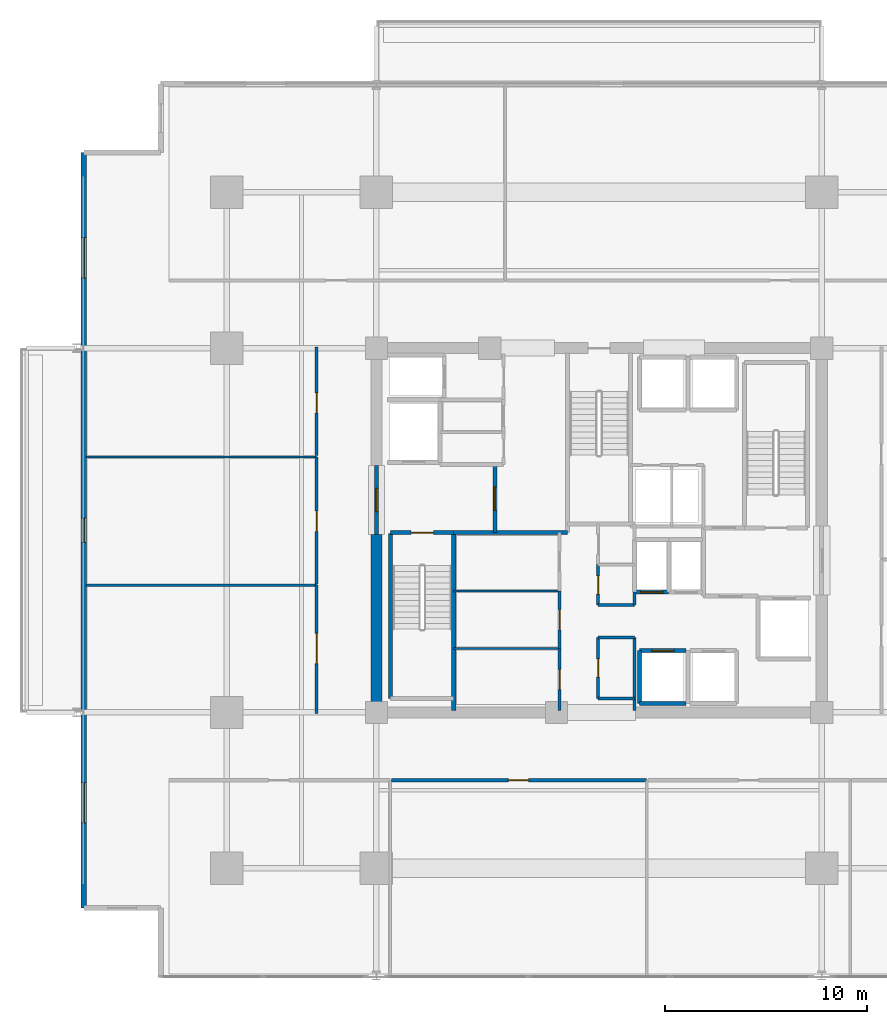
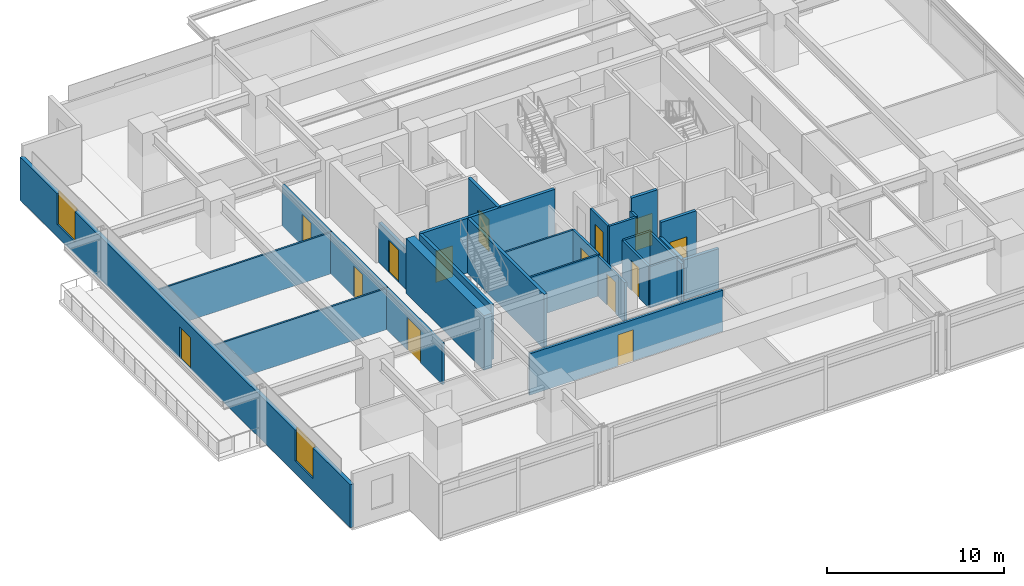
# One storey, part 13 of 20: 29 walls, 14 doors, 2 windows, 16 openings.
"""IFC4 building model written with IfcOpenShell, lengths in metres."""

import ifcopenshell
import ifcopenshell.guid

model = None  # the IFC model being written
_history = None  # IfcOwnerHistory: only IFC2X3 demands one
_inside = {}  # id of a spatial element -> (the spatial element, [elements in it])
_under = {}  # id of a project, library or spatial element -> (it, [spatial elements below it])
_declared = {}  # id of a project -> (the project, [libraries it declares])
_typed = {}  # id of a type object -> (the type object, [elements of that type])
_made_of = {}  # id of a material, layer set ... -> (it, [elements and type objects made of it])


def new_model(schema):
    """Start an empty IFC model of exactly this schema.

    Asked for "IFC4X3", IfcOpenShell would pick the latest addendum, in which some entities
    have other attributes; the version numbers below select the first issue.
    IFC2X3 requires an IfcOwnerHistory on every rooted entity: one is made here for all.
    """
    global model, _history
    if schema == "IFC4X3":
        model = ifcopenshell.file(schema_version=(4, 3, 0, 0))
    else:
        model = ifcopenshell.file(schema=schema)
    _inside.clear()
    _under.clear()
    _declared.clear()
    _typed.clear()
    _made_of.clear()
    _history = None
    if model.schema == "IFC2X3":
        org = make("IfcOrganization", Name="unknown")
        user = make(
            "IfcPersonAndOrganization",
            ThePerson=make("IfcPerson", FamilyName="unknown"),
            TheOrganization=org,
        )
        app = make(
            "IfcApplication",
            ApplicationDeveloper=org,
            Version="unknown",
            ApplicationFullName="unknown",
            ApplicationIdentifier="unknown",
        )
        _history = make(
            "IfcOwnerHistory",
            OwningUser=user,
            OwningApplication=app,
            ChangeAction="ADDED",
            CreationDate=0,
        )
    return model


def make(cls, **values):
    """One entity of the class cls with the attributes given. An attribute that is None is left unset."""
    return model.create_entity(
        cls, **{name: value for name, value in values.items() if value is not None}
    )


def rooted(cls, **values):
    """An entity with a GlobalId (a new one), such as an element, a storey or a relation."""
    return make(cls, GlobalId=ifcopenshell.guid.new(), OwnerHistory=_history, **values)


def si_unit(unit_type, name, prefix=None):
    """IfcSIUnit, for example si_unit("LENGTHUNIT", "METRE", prefix="MILLI")."""
    return make("IfcSIUnit", UnitType=unit_type, Prefix=prefix, Name=name)


def assignment(units):
    """IfcUnitAssignment: the units of a project."""
    return None if units is None else make("IfcUnitAssignment", Units=units)


def point(xyz):
    """IfcCartesianPoint."""
    return None if xyz is None else make("IfcCartesianPoint", Coordinates=xyz)


def direction(xyz):
    """IfcDirection."""
    return None if xyz is None else make("IfcDirection", DirectionRatios=xyz)


def frame(location, z_axis=None, x_axis=None):
    """IfcAxis2Placement3D, a coordinate frame: its origin and axes. An axis left out is left unset."""
    return make(
        "IfcAxis2Placement3D",
        Location=point(location),
        Axis=direction(z_axis),
        RefDirection=direction(x_axis),
    )


def frame_2d(location, x_axis=None):
    """IfcAxis2Placement2D, a coordinate frame in the plane: its origin and x axis."""
    return make(
        "IfcAxis2Placement2D", Location=point(location), RefDirection=direction(x_axis)
    )


def origin():
    """The frame at (0, 0, 0) with its axes left unset."""
    return frame((0.0, 0.0, 0.0))


def place(relative_to, where):
    """IfcLocalPlacement: puts the frame where relative to a parent placement (None: the world)."""
    return make(
        "IfcLocalPlacement", PlacementRelTo=relative_to, RelativePlacement=where
    )


def context(
    kind, dimensions, precision=None, world=None, true_north=None, identifier=None
):
    """IfcGeometricRepresentationContext, for example the 3D "Model" context."""
    return make(
        "IfcGeometricRepresentationContext",
        ContextIdentifier=identifier,
        ContextType=kind,
        CoordinateSpaceDimension=dimensions,
        Precision=precision,
        WorldCoordinateSystem=world,
        TrueNorth=true_north,
    )


def subcontext(parent, identifier, kind, view, scale=None):
    """IfcGeometricRepresentationSubContext, for example "Body" below "Model"."""
    return make(
        "IfcGeometricRepresentationSubContext",
        ContextIdentifier=identifier,
        ContextType=kind,
        ParentContext=parent,
        TargetScale=scale,
        TargetView=view,
    )


def project(units=None, contexts=None):
    """IfcProject with its units and contexts."""
    return rooted(
        "IfcProject",
        Name="project",
        RepresentationContexts=contexts,
        UnitsInContext=assignment(units),
    )


def spatial(cls, under=None, at=None, **own):
    """A site, building, storey or space (cls), placed at a placement, below another one or the project."""
    s = rooted(cls, ObjectPlacement=at, **own)
    if under is not None:
        _under.setdefault(under.id(), (under, []))[1].append(s)
    return s


def profile(cls, at=None, kind="AREA", **sizes):
    """A parametric profile (cls). Its sizes go by their IFC names, for example OverallWidth=200.0."""
    return make(cls, ProfileType=kind, Position=at, **sizes)


def rectangle(**sizes):
    """IfcRectangleProfileDef."""
    return profile("IfcRectangleProfileDef", **sizes)


def extrude(swept, where, along, depth):
    """IfcExtrudedAreaSolid: the profile swept, set in the frame where, extruded along a direction by depth."""
    return make(
        "IfcExtrudedAreaSolid",
        SweptArea=swept,
        Position=where,
        ExtrudedDirection=direction(along),
        Depth=depth,
    )


def shape(context_of_items, identifier, shape_type, items):
    """IfcShapeRepresentation: the items that make up one representation, for example the "Body"."""
    return make(
        "IfcShapeRepresentation",
        ContextOfItems=context_of_items,
        RepresentationIdentifier=identifier,
        RepresentationType=shape_type,
        Items=items,
    )


def material(Name=None, Category=None):
    """IfcMaterial."""
    return make("IfcMaterial", Name=Name, Category=Category)


def layer(
    of_material, thickness, ventilated=None, Name=None, Category=None, Priority=None
):
    """IfcMaterialLayer: one layer of a wall or slab, of a material (None: an air gap)."""
    return make(
        "IfcMaterialLayer",
        Material=of_material,
        LayerThickness=thickness,
        IsVentilated=ventilated,
        Name=Name,
        Category=Category,
        Priority=Priority,
    )


def layer_set(layers, Name=None):
    """IfcMaterialLayerSet."""
    return make("IfcMaterialLayerSet", MaterialLayers=layers, LayerSetName=Name)


def made_of(thing, what):
    """Note that an element or type object is made of a material, layer set ...; save() writes the relation."""
    if what is not None:
        _made_of.setdefault(what.id(), (what, []))[1].append(thing)
    return thing


def type_object(cls, material=None, **own):
    """A type object (cls), such as IfcWallType, which elements share."""
    return made_of(rooted(cls, **own), material)


def element(
    cls,
    number,
    at=None,
    inside=None,
    cuts=None,
    type_object=None,
    material=None,
    context=None,
    identifier="Body",
    shape_type=None,
    held_by="IfcProductDefinitionShape",
    body=None,
    shapes=None,
    **own,
):
    """One element of the class cls, such as IfcWall. Its Tag is "e" and its number.

    at: its placement. inside: the storey or other place that contains it. cuts: it is an
    opening in that element (IfcRelVoidsElement). A single representation is given by context,
    identifier, shape_type and body (its items); several are given by shapes. held_by: the class
    of the entity that holds the representations. save() writes the other relations.
    """
    e = rooted(cls, Tag="e%d" % number, ObjectPlacement=at, **own)
    if body is not None:
        shapes = [shape(context, identifier, shape_type, body)]
    if shapes is not None:
        e.Representation = make(held_by, Representations=shapes)
    if inside is not None:
        _inside.setdefault(inside.id(), (inside, []))[1].append(e)
    if cuts is not None:
        rooted(
            "IfcRelVoidsElement", RelatingBuildingElement=cuts, RelatedOpeningElement=e
        )
    if type_object is not None:
        _typed.setdefault(type_object.id(), (type_object, []))[1].append(e)
    return made_of(e, material)


def fill(opening, filler):
    """IfcRelFillsElement: the door or window that sits in an opening."""
    return rooted(
        "IfcRelFillsElement",
        RelatingOpeningElement=opening,
        RelatedBuildingElement=filler,
    )


def aggregate(whole, parts):
    """IfcRelAggregates: a whole, such as a stair, and the parts it consists of."""
    return rooted("IfcRelAggregates", RelatingObject=whole, RelatedObjects=parts)


def save(model, path):
    """Write the relations noted so far, then the file.

    IfcRelAggregates (storeys below a building ...), IfcRelContainedInSpatialStructure (elements
    in a storey), IfcRelDefinesByType, IfcRelAssociatesMaterial and IfcRelDeclares: one each for
    every whole, place, type object, material and project.
    """
    for whole, parts in _under.values():
        aggregate(whole, parts)
    for where, things in _inside.values():
        rooted(
            "IfcRelContainedInSpatialStructure",
            RelatedElements=things,
            RelatingStructure=where,
        )
    for kind, things in _typed.values():
        rooted("IfcRelDefinesByType", RelatedObjects=things, RelatingType=kind)
    for what, things in _made_of.values():
        rooted("IfcRelAssociatesMaterial", RelatedObjects=things, RelatingMaterial=what)
    for by, libraries in _declared.values():
        rooted("IfcRelDeclares", RelatingContext=by, RelatedDefinitions=libraries)
    model.write(path)


model = new_model("IFC4")

# Units and contexts
model_context = context("Model", 3, precision=1e-05, world=origin(), true_north=direction((0.0, 1.0)))
body_context = subcontext(model_context, "Body", "Model", "MODEL_VIEW")
ifc_project = project(units=[si_unit("LENGTHUNIT", "METRE"), si_unit("AREAUNIT", "SQUARE_METRE"), si_unit("VOLUMEUNIT", "CUBIC_METRE"), si_unit("PLANEANGLEUNIT", "RADIAN"), si_unit("MASSUNIT", "GRAM", prefix="KILO")], contexts=[model_context])

# Site, building, storey
site_placement = place(None, origin())
site = spatial("IfcSite", under=ifc_project, at=site_placement, CompositionType="ELEMENT")
building_placement = place(site_placement, origin())
building = spatial("IfcBuilding", under=site, at=building_placement, Name="Kovane Verandah Tower", CompositionType="ELEMENT")
storey_placement = place(building_placement, frame((0.0, 0.0, 160.39990234375)))
storey = spatial("IfcBuildingStorey", under=building, at=storey_placement, Name="L37", CompositionType="ELEMENT", Elevation=160.39990234375)

# Walls
ifc_material_1 = material(Name="Fire-Rated Gypsum Stud Partition", Category="gypsum")
ifc_layer_1 = layer(ifc_material_1, 0.14990234375)
ifc_layer_set_1 = layer_set([ifc_layer_1], Name="Fire-Rated Gypsum Stud Partition")
wall_type_1 = type_object("IfcWallType", Name="WL-COR-150", PredefinedType="PARTITIONING", material=ifc_layer_set_1)
for number, where, z_axis, x_axis, name in (
    (1, (39.949951171875, 19.199951171875, 0.0), (0.0, 0.0, 1.0), (1.0, 0.0, 0.0), "L37 Central Core Strip South Wall"),
    (2, (39.949951171875, 22.199951171875, 0.0), (0.0, 0.0, 1.0), (1.0, 0.0, 0.0), "L37 Core Cross-Passage South Wall"),
    (3, (39.949951171875, 23.800048828125, 0.0), (0.0, 0.0, 1.0), (1.0, 0.0, 0.0), "L37 Core Cross-Passage North Wall"),
):
    element("IfcWall", number, at=place(storey_placement, frame(where, z_axis=z_axis, x_axis=x_axis)), inside=storey, type_object=wall_type_1, Name=name, PredefinedType="PARTITIONING", context=body_context, shape_type="SweptSolid", body=[
        extrude(rectangle(XDim=1.81005859375, YDim=0.14990234375, at=frame_2d((0.905029296875, 0.0))), origin(), (0.0, 0.0, 1.0), 2.85009765625),
    ])
wall_1_placement = place(storey_placement, frame((41.760009765625, 18.60009765625, 0.0), z_axis=(0.0, 0.0, 1.0), x_axis=(0.0, 1.0, 0.0)))
element("IfcWall", 4, at=wall_1_placement, inside=storey, type_object=wall_type_1, Name="L37 Central Core Strip Lower East Wall", PredefinedType="PARTITIONING", context=body_context, shape_type="SweptSolid", body=[
    extrude(rectangle(XDim=3.599853515625, YDim=0.14990234375, at=frame_2d((1.7998046875, 0.0))), origin(), (0.0, 0.0, 1.0), 2.755126953125),
])
wall_2_placement = place(storey_placement, frame((41.760009765625, 23.800048828125, 0.0), z_axis=(0.0, 0.0, 1.0), x_axis=(0.0, 1.0, 0.0)))
element("IfcWall", 5, at=wall_2_placement, inside=storey, type_object=wall_type_1, Name="L37 Central Core Strip Middle East Wall", PredefinedType="PARTITIONING", context=body_context, shape_type="SweptSolid", body=[
    extrude(rectangle(XDim=0.64990234375, YDim=0.14990234375, at=frame_2d((0.324951171875, 0.0))), origin(), (0.0, 0.0, 1.0), 2.85009765625),
])

# Wall, opening, door
wall_3_placement = place(storey_placement, frame((39.949951171875, 19.199951171875, 0.0), z_axis=(0.0, 0.0, 1.0), x_axis=(0.0, 1.0, 0.0)))
wall_3 = element("IfcWall", 6, at=wall_3_placement, inside=storey, type_object=wall_type_1, Name="L37 Male Toilet Partition", PredefinedType="PARTITIONING", context=body_context, shape_type="SweptSolid", body=[
    extrude(rectangle(XDim=3.0, YDim=0.14990234375, at=frame_2d((1.5, 0.0))), origin(), (0.0, 0.0, 1.0), 2.85009765625),
])
opening_1_placement = place(wall_3_placement, frame((1.050048828125, 0.0, 0.0)))
opening_1 = element("IfcOpeningElement", 7, at=opening_1_placement, cuts=wall_3, Name="Opening DR-L37-029", PredefinedType="OPENING", context=body_context, shape_type="SweptSolid", body=[
    extrude(rectangle(XDim=0.89990234375, YDim=2.10009765625, at=frame_2d((0.449951171875, 1.050048828125))), frame((0.0, 0.074951171875, 0.0), z_axis=(0.0, -1.0, 0.0), x_axis=(1.0, 0.0, 0.0)), (0.0, 0.0, 1.0), 0.14990234375),
])
ifc_material_2 = material(Name="Moisture-Resistant Laminate Washroom Door", Category="wood")
door_type_1 = type_object("IfcDoorType", Name="DR-WC-900", OperationType="SINGLE_SWING_LEFT", PredefinedType="DOOR", material=ifc_material_2)
door_1_placement = place(opening_1_placement, origin())
door_1 = element("IfcDoor", 8, at=door_1_placement, inside=storey, type_object=door_type_1, Name="L37 Male Toilet Door", OperationType="SINGLE_SWING_LEFT", OverallHeight=2.10009765625, OverallWidth=0.89990234375, PredefinedType="DOOR", context=body_context, shape_type="SweptSolid", body=[
    extrude(rectangle(XDim=0.89990234375, YDim=2.10009765625, at=frame_2d((0.449951171875, 1.050048828125))), frame((0.0, 0.02490234375, 0.0), z_axis=(0.0, -1.0, 0.0), x_axis=(1.0, 0.0, 0.0)), (0.0, 0.0, 1.0), 0.050048828125),
])
fill(opening_1, door_1)

wall_4_placement = place(storey_placement, frame((39.949951171875, 23.800048828125, 0.0), z_axis=(0.0, 0.0, 1.0), x_axis=(0.0, 1.0, 0.0)))
wall_4 = element("IfcWall", 9, at=wall_4_placement, inside=storey, type_object=wall_type_1, Name="L37 Female Toilet Partition", PredefinedType="PARTITIONING", context=body_context, shape_type="SweptSolid", body=[
    extrude(rectangle(XDim=2.0, YDim=0.14990234375, at=frame_2d((1.0, 0.0))), origin(), (0.0, 0.0, 1.0), 2.85009765625),
])
opening_2_placement = place(wall_4_placement, frame((0.550048828125, 0.0, 0.0)))
opening_2 = element("IfcOpeningElement", 10, at=opening_2_placement, cuts=wall_4, Name="Opening DR-L37-028", PredefinedType="OPENING", context=body_context, shape_type="SweptSolid", body=[
    extrude(rectangle(XDim=0.89990234375, YDim=2.10009765625, at=frame_2d((0.449951171875, 1.050048828125))), frame((0.0, 0.074951171875, 0.0), z_axis=(0.0, -1.0, 0.0), x_axis=(1.0, 0.0, 0.0)), (0.0, 0.0, 1.0), 0.14990234375),
])
door_2_placement = place(opening_2_placement, origin())
door_2 = element("IfcDoor", 11, at=door_2_placement, inside=storey, type_object=door_type_1, Name="L37 Female Toilet Door", OperationType="SINGLE_SWING_RIGHT", OverallHeight=2.10009765625, OverallWidth=0.89990234375, PredefinedType="DOOR", context=body_context, shape_type="SweptSolid", body=[
    extrude(rectangle(XDim=0.89990234375, YDim=2.10009765625, at=frame_2d((0.449951171875, 1.050048828125))), frame((0.0, 0.02490234375, 0.0), z_axis=(0.0, -1.0, 0.0), x_axis=(1.0, 0.0, 0.0)), (0.0, 0.0, 1.0), 0.050048828125),
])
fill(opening_2, door_2)

wall_5_placement = place(storey_placement, frame((38.050048828125, 18.60009765625, 0.0), z_axis=(0.0, 0.0, 1.0), x_axis=(0.0, 1.0, 0.0)))
wall_5 = element("IfcWall", 12, at=wall_5_placement, inside=storey, type_object=wall_type_1, Name="L37 Project Archive Room Partition", PredefinedType="PARTITIONING", context=body_context, shape_type="SweptSolid", body=[
    extrude(rectangle(XDim=3.059814453125, YDim=0.14990234375, at=frame_2d((1.52978515625, 0.0))), origin(), (0.0, 0.0, 1.0), 2.755126953125),
])
opening_3_placement = place(wall_5_placement, frame((1.030029296875, 0.0, 0.0)))
opening_3 = element("IfcOpeningElement", 13, at=opening_3_placement, cuts=wall_5, Name="Opening DR-L37-015", PredefinedType="OPENING", context=body_context, shape_type="SweptSolid", body=[
    extrude(rectangle(XDim=1.0, YDim=2.14990234375, at=frame_2d((0.5, 1.074951171875))), frame((0.0, 0.074951171875, 0.0), z_axis=(0.0, -1.0, 0.0), x_axis=(1.0, 0.0, 0.0)), (0.0, 0.0, 1.0), 0.14990234375),
])
ifc_material_3 = material(Name="FSC Spotted-Gum Timber Fire-Rated Office Door", Category="wood")
door_type_2 = type_object("IfcDoorType", Name="DR-OFF-1000", OperationType="SINGLE_SWING_LEFT", PredefinedType="DOOR", material=ifc_material_3)
door_3_placement = place(opening_3_placement, origin())
door_3 = element("IfcDoor", 14, at=door_3_placement, inside=storey, type_object=door_type_2, Name="L37 Project Archive Room Door", OperationType="SINGLE_SWING_LEFT", OverallHeight=2.14990234375, OverallWidth=1.0, PredefinedType="DOOR", context=body_context, shape_type="SweptSolid", body=[
    extrude(rectangle(XDim=1.0, YDim=2.14990234375, at=frame_2d((0.5, 1.074951171875))), frame((0.0, 0.02490234375, 0.0), z_axis=(0.0, -1.0, 0.0), x_axis=(1.0, 0.0, 0.0)), (0.0, 0.0, 1.0), 0.050048828125),
])
fill(opening_3, door_3)

wall_6_placement = place(storey_placement, frame((38.050048828125, 21.659912109375, 0.0), z_axis=(0.0, 0.0, 1.0), x_axis=(0.0, 1.0, 0.0)))
wall_6 = element("IfcWall", 15, at=wall_6_placement, inside=storey, type_object=wall_type_1, Name="L37 First Aid and Wellness Room Partition", PredefinedType="PARTITIONING", context=body_context, shape_type="SweptSolid", body=[
    extrude(rectangle(XDim=2.840087890625, YDim=0.14990234375, at=frame_2d((1.419921875, 0.0))), origin(), (0.0, 0.0, 1.0), 2.85009765625),
])
opening_4_placement = place(wall_6_placement, frame((0.919921875, 0.0, 0.0)))
opening_4 = element("IfcOpeningElement", 16, at=opening_4_placement, cuts=wall_6, Name="Opening DR-L37-016", PredefinedType="OPENING", context=body_context, shape_type="SweptSolid", body=[
    extrude(rectangle(XDim=1.0, YDim=2.14990234375, at=frame_2d((0.5, 1.074951171875))), frame((0.0, 0.074951171875, 0.0), z_axis=(0.0, -1.0, 0.0), x_axis=(1.0, 0.0, 0.0)), (0.0, 0.0, 1.0), 0.14990234375),
])
door_4_placement = place(opening_4_placement, origin())
door_4 = element("IfcDoor", 17, at=door_4_placement, inside=storey, type_object=door_type_2, Name="L37 First Aid and Wellness Room Door", OperationType="SINGLE_SWING_RIGHT", OverallHeight=2.14990234375, OverallWidth=1.0, PredefinedType="DOOR", context=body_context, shape_type="SweptSolid", body=[
    extrude(rectangle(XDim=1.0, YDim=2.14990234375, at=frame_2d((0.5, 1.074951171875))), frame((0.0, 0.02490234375, 0.0), z_axis=(0.0, -1.0, 0.0), x_axis=(1.0, 0.0, 0.0)), (0.0, 0.0, 1.0), 0.050048828125),
])
fill(opening_4, door_4)

wall_7_placement = place(storey_placement, frame((29.743896484375, 15.14990234375, 0.0), z_axis=(0.0, 0.0, 1.0), x_axis=(1.0, 0.0, 0.0)))
wall_7 = element("IfcWall", 18, at=wall_7_placement, inside=storey, type_object=wall_type_1, Name="L37 Document and Print Room S2 Corridor Partition", PredefinedType="PARTITIONING", context=body_context, shape_type="SweptSolid", body=[
    extrude(rectangle(XDim=12.612060546875, YDim=0.14990234375, at=frame_2d((6.30615234375, 0.0))), origin(), (0.0, 0.0, 1.0), 2.85009765625),
])
opening_5_placement = place(wall_7_placement, frame((5.77099609375, 0.0, 0.0)))
opening_5 = element("IfcOpeningElement", 19, at=opening_5_placement, cuts=wall_7, Name="Opening DR-L37-023", PredefinedType="OPENING", context=body_context, shape_type="SweptSolid", body=[
    extrude(rectangle(XDim=1.0, YDim=2.14990234375, at=frame_2d((0.5, 1.074951171875))), frame((0.0, 0.074951171875, 0.0), z_axis=(0.0, -1.0, 0.0), x_axis=(1.0, 0.0, 0.0)), (0.0, 0.0, 1.0), 0.14990234375),
])
door_5_placement = place(opening_5_placement, origin())
door_5 = element("IfcDoor", 20, at=door_5_placement, inside=storey, type_object=door_type_2, Name="L37 Document and Print Room S2 Entrance Door", OperationType="SINGLE_SWING_LEFT", OverallHeight=2.14990234375, OverallWidth=1.0, PredefinedType="DOOR", context=body_context, shape_type="SweptSolid", body=[
    extrude(rectangle(XDim=1.0, YDim=2.14990234375, at=frame_2d((0.5, 1.074951171875))), frame((0.0, 0.02490234375, 0.0), z_axis=(0.0, -1.0, 0.0), x_axis=(1.0, 0.0, 0.0)), (0.0, 0.0, 1.0), 0.050048828125),
])
fill(opening_5, door_5)

wall_8_placement = place(storey_placement, frame((26.050048828125, 18.449951171875, 0.0), z_axis=(0.0, 0.0, 1.0), x_axis=(0.0, 1.0, 0.0)))
wall_8 = element("IfcWall", 21, at=wall_8_placement, inside=storey, type_object=wall_type_1, Name="L37 Client Boardroom W1 Corridor Partition", PredefinedType="PARTITIONING", context=body_context, shape_type="SweptSolid", body=[
    extrude(rectangle(XDim=6.3349609375, YDim=0.14990234375, at=frame_2d((3.16748046875, 0.0))), origin(), (0.0, 0.0, 1.0), 2.85009765625),
])
opening_6_placement = place(wall_8_placement, frame((2.45751953125, 0.0, 0.0)))
opening_6 = element("IfcOpeningElement", 22, at=opening_6_placement, cuts=wall_8, Name="Opening DR-L37-030", PredefinedType="OPENING", context=body_context, shape_type="SweptSolid", body=[
    extrude(rectangle(XDim=1.5, YDim=2.25, at=frame_2d((0.75, 1.125))), frame((0.0, 0.074951171875, 0.0), z_axis=(0.0, -1.0, 0.0), x_axis=(1.0, 0.0, 0.0)), (0.0, 0.0, 1.0), 0.14990234375),
])
ifc_material_4 = material(Name="Glazed Timber Fire-Rated Double Door", Category="wood")
door_type_3 = type_object("IfcDoorType", Name="DR-CONF-1500", OperationType="DOUBLE_DOOR_SINGLE_SWING", PredefinedType="DOOR", material=ifc_material_4)
door_6_placement = place(opening_6_placement, origin())
door_6 = element("IfcDoor", 23, at=door_6_placement, inside=storey, type_object=door_type_3, Name="L37 Client Boardroom W1 Entrance Door", OperationType="DOUBLE_DOOR_SINGLE_SWING", OverallHeight=2.25, OverallWidth=1.5, PredefinedType="DOOR", context=body_context, shape_type="SweptSolid", body=[
    extrude(rectangle(XDim=1.5, YDim=2.25, at=frame_2d((0.75, 1.125))), frame((0.0, 0.02490234375, 0.0), z_axis=(0.0, -1.0, 0.0), x_axis=(1.0, 0.0, 0.0)), (0.0, 0.0, 1.0), 0.050048828125),
])
fill(opening_6, door_6)

wall_9_placement = place(storey_placement, frame((26.050048828125, 24.85498046875, 0.0), z_axis=(0.0, 0.0, 1.0), x_axis=(0.0, 1.0, 0.0)))
wall_9 = element("IfcWall", 24, at=wall_9_placement, inside=storey, type_object=wall_type_1, Name="L37 Meeting Room W2 Corridor Partition", PredefinedType="PARTITIONING", context=body_context, shape_type="SweptSolid", body=[
    extrude(rectangle(XDim=6.26513671875, YDim=0.14990234375, at=frame_2d((3.132568359375, 0.0))), origin(), (0.0, 0.0, 1.0), 2.85009765625),
])
opening_7_placement = place(wall_9_placement, frame((2.597412109375, 0.0, 0.0)))
opening_7 = element("IfcOpeningElement", 25, at=opening_7_placement, cuts=wall_9, Name="Opening DR-L37-031", PredefinedType="OPENING", context=body_context, shape_type="SweptSolid", body=[
    extrude(rectangle(XDim=1.0, YDim=2.14990234375, at=frame_2d((0.5, 1.074951171875))), frame((0.0, 0.074951171875, 0.0), z_axis=(0.0, -1.0, 0.0), x_axis=(1.0, 0.0, 0.0)), (0.0, 0.0, 1.0), 0.14990234375),
])
door_7_placement = place(opening_7_placement, origin())
door_7 = element("IfcDoor", 26, at=door_7_placement, inside=storey, type_object=door_type_2, Name="L37 Meeting Room W2 Entrance Door", OperationType="SINGLE_SWING_LEFT", OverallHeight=2.14990234375, OverallWidth=1.0, PredefinedType="DOOR", context=body_context, shape_type="SweptSolid", body=[
    extrude(rectangle(XDim=1.0, YDim=2.14990234375, at=frame_2d((0.5, 1.074951171875))), frame((0.0, 0.02490234375, 0.0), z_axis=(0.0, -1.0, 0.0), x_axis=(1.0, 0.0, 0.0)), (0.0, 0.0, 1.0), 0.050048828125),
])
fill(opening_7, door_7)

wall_10_placement = place(storey_placement, frame((26.050048828125, 31.18994140625, 0.0), z_axis=(0.0, 0.0, 1.0), x_axis=(0.0, 1.0, 0.0)))
wall_10 = element("IfcWall", 27, at=wall_10_placement, inside=storey, type_object=wall_type_1, Name="L37 Focus Studio W3 Corridor Partition", PredefinedType="PARTITIONING", context=body_context, shape_type="SweptSolid", body=[
    extrude(rectangle(XDim=5.360107421875, YDim=0.14990234375, at=frame_2d((2.68017578125, 0.0))), origin(), (0.0, 0.0, 1.0), 2.85009765625),
])
opening_8_placement = place(wall_10_placement, frame((2.10498046875, 0.0, 0.0)))
opening_8 = element("IfcOpeningElement", 28, at=opening_8_placement, cuts=wall_10, Name="Opening DR-L37-032", PredefinedType="OPENING", context=body_context, shape_type="SweptSolid", body=[
    extrude(rectangle(XDim=1.0, YDim=2.14990234375, at=frame_2d((0.5, 1.074951171875))), frame((0.0, 0.074951171875, 0.0), z_axis=(0.0, -1.0, 0.0), x_axis=(1.0, 0.0, 0.0)), (0.0, 0.0, 1.0), 0.14990234375),
])
door_8_placement = place(opening_8_placement, origin())
door_8 = element("IfcDoor", 29, at=door_8_placement, inside=storey, type_object=door_type_2, Name="L37 Focus Studio W3 Entrance Door", OperationType="SINGLE_SWING_RIGHT", OverallHeight=2.14990234375, OverallWidth=1.0, PredefinedType="DOOR", context=body_context, shape_type="SweptSolid", body=[
    extrude(rectangle(XDim=1.0, YDim=2.14990234375, at=frame_2d((0.5, 1.074951171875))), frame((0.0, 0.02490234375, 0.0), z_axis=(0.0, -1.0, 0.0), x_axis=(1.0, 0.0, 0.0)), (0.0, 0.0, 1.0), 0.050048828125),
])
fill(opening_8, door_8)

# Wall
ifc_material_5 = material(Name="Concrete C60/75", Category="concrete")
ifc_layer_2 = layer(ifc_material_5, 0.550048828125)
ifc_layer_set_2 = layer_set([ifc_layer_2], Name="Concrete C60/75")
wall_type_2 = type_object("IfcWallType", Name="WL-CORE-550", PredefinedType="SHEAR", material=ifc_layer_set_2)
wall_11_placement = place(storey_placement, frame((29.0, 18.5, 0.0), z_axis=(0.0, 0.0, 1.0), x_axis=(0.0, 1.0, 0.0)))
element("IfcWall", 30, at=wall_11_placement, inside=storey, type_object=wall_type_2, Name="L37 Core Shear Wall CW-1", PredefinedType="SHEAR", context=body_context, shape_type="SweptSolid", body=[
    extrude(rectangle(XDim=8.800048828125, YDim=0.550048828125, at=frame_2d((4.39990234375, 0.0))), origin(), (0.0, 0.0, 1.0), 3.775146484375),
])

# Wall, opening, door
ifc_material_6 = material(Name="Concrete C45/55 Fire Wall", Category="concrete")
ifc_layer_3 = layer(ifc_material_6, 0.199951171875)
ifc_layer_set_3 = layer_set([ifc_layer_3], Name="Concrete C45/55 Fire Wall")
wall_type_3 = type_object("IfcWallType", Name="WL-FFL-200", PredefinedType="PARTITIONING", material=ifc_layer_set_3)
wall_12_placement = place(storey_placement, frame((34.85009765625, 27.3798828125, 0.0), z_axis=(0.0, 0.0, 1.0), x_axis=(0.0, 1.0, 0.0)))
wall_12 = element("IfcWall", 31, at=wall_12_placement, inside=storey, type_object=wall_type_3, Name="W-L37-FFLW-E", PredefinedType="PARTITIONING", context=body_context, shape_type="SweptSolid", body=[
    extrude(rectangle(XDim=3.3701171875, YDim=0.199951171875, at=frame_2d((1.68505859375, 0.0))), origin(), (0.0, 0.0, 1.0), 3.775146484375),
])
opening_9_placement = place(wall_12_placement, frame((1.110107421875, 0.0, 0.0)))
opening_9 = element("IfcOpeningElement", 32, at=opening_9_placement, cuts=wall_12, Name="Opening DR-L37-006", PredefinedType="OPENING", context=body_context, shape_type="SweptSolid", body=[
    extrude(rectangle(XDim=1.14990234375, YDim=2.199951171875, at=frame_2d((0.574951171875, 1.10009765625))), frame((0.0, 0.10009765625, 0.0), z_axis=(0.0, -1.0, 0.0), x_axis=(1.0, 0.0, 0.0)), (0.0, 0.0, 1.0), 0.199951171875),
])
ifc_material_7 = material(Name="Smoke-Sealed Firefighting Lobby Door", Category="steel")
door_type_4 = type_object("IfcDoorType", Name="DR-FFL-1150", OperationType="SINGLE_SWING_LEFT", PredefinedType="DOOR", material=ifc_material_7)
door_9_placement = place(opening_9_placement, origin())
door_9 = element("IfcDoor", 33, at=door_9_placement, inside=storey, type_object=door_type_4, Name="L37 West Firefighting Lobby Inner Door", OperationType="SINGLE_SWING_LEFT", OverallHeight=2.199951171875, OverallWidth=1.14990234375, PredefinedType="DOOR", context=body_context, shape_type="SweptSolid", body=[
    extrude(rectangle(XDim=1.14990234375, YDim=2.199951171875, at=frame_2d((0.574951171875, 1.10009765625))), frame((0.0, 0.02490234375, 0.0), z_axis=(0.0, -1.0, 0.0), x_axis=(1.0, 0.0, 0.0)), (0.0, 0.0, 1.0), 0.050048828125),
])
fill(opening_9, door_9)

wall_13_placement = place(storey_placement, frame((29.0, 27.300048828125, 0.0), z_axis=(0.0, 0.0, 1.0), x_axis=(0.0, 1.0, 0.0)))
wall_13 = element("IfcWall", 34, at=wall_13_placement, inside=storey, type_object=wall_type_3, Name="W-L37-FFLW-OUT", PredefinedType="PARTITIONING", context=body_context, shape_type="SweptSolid", body=[
    extrude(rectangle(XDim=3.39990234375, YDim=0.199951171875, at=frame_2d((1.699951171875, 0.0))), origin(), (0.0, 0.0, 1.0), 2.755126953125),
])
opening_10_placement = place(wall_13_placement, frame((1.125, 0.0, 0.0)))
opening_10 = element("IfcOpeningElement", 35, at=opening_10_placement, cuts=wall_13, Name="Opening DR-L37-007", PredefinedType="OPENING", context=body_context, shape_type="SweptSolid", body=[
    extrude(rectangle(XDim=1.14990234375, YDim=2.199951171875, at=frame_2d((0.574951171875, 1.10009765625))), frame((0.0, 0.10009765625, 0.0), z_axis=(0.0, -1.0, 0.0), x_axis=(1.0, 0.0, 0.0)), (0.0, 0.0, 1.0), 0.199951171875),
])
door_10_placement = place(opening_10_placement, origin())
door_10 = element("IfcDoor", 36, at=door_10_placement, inside=storey, type_object=door_type_4, Name="L37 West Firefighting Lobby Corridor Door", OperationType="SINGLE_SWING_RIGHT", OverallHeight=2.199951171875, OverallWidth=1.14990234375, PredefinedType="DOOR", context=body_context, shape_type="SweptSolid", body=[
    extrude(rectangle(XDim=1.14990234375, YDim=2.199951171875, at=frame_2d((0.574951171875, 1.10009765625))), frame((0.0, 0.02490234375, 0.0), z_axis=(0.0, -1.0, 0.0), x_axis=(1.0, 0.0, 0.0)), (0.0, 0.0, 1.0), 0.050048828125),
])
fill(opening_10, door_10)

# Walls
wall_14_placement = place(storey_placement, frame((32.820068359375, 27.3798828125, 0.0), z_axis=(0.0, 0.0, 1.0), x_axis=(1.0, 0.0, 0.0)))
element("IfcWall", 37, at=wall_14_placement, inside=storey, type_object=wall_type_3, Name="L37 West Firefighting Lobby South Fire Wall", PredefinedType="PARTITIONING", context=body_context, shape_type="SweptSolid", body=[
    extrude(rectangle(XDim=5.619873046875, YDim=0.199951171875, at=frame_2d((2.81005859375, 0.0))), origin(), (0.0, 0.0, 1.0), 3.775146484375),
])
ifc_material_8 = material(Name="Concrete C45/55 Lift Shaft Wall", Category="concrete")
ifc_layer_4 = layer(ifc_material_8, 0.199951171875)
ifc_layer_set_4 = layer_set([ifc_layer_4], Name="Concrete C45/55 Lift Shaft Wall")
wall_type_4 = type_object("IfcWallType", Name="WL-LIFT-200", PredefinedType="SOLIDWALL", material=ifc_layer_set_4)
wall_15_placement = place(storey_placement, frame((42.0, 18.949951171875, 0.0), z_axis=(0.0, 0.0, 1.0), x_axis=(1.0, 0.0, 0.0)))
element("IfcWall", 38, at=wall_15_placement, inside=storey, type_object=wall_type_4, Name="L37 Lift PL-M1 S Shaft Wall", PredefinedType="SOLIDWALL", context=body_context, shape_type="SweptSolid", body=[
    extrude(rectangle(XDim=2.300048828125, YDim=0.199951171875, at=frame_2d((1.14990234375, 0.0))), origin(), (0.0, 0.0, 1.0), 2.755126953125),
])

# Wall, opening, door
wall_16_placement = place(storey_placement, frame((44.300048828125, 21.550048828125, 0.0), z_axis=(0.0, 0.0, 1.0), x_axis=(-1.0, 0.0, 0.0)))
wall_16 = element("IfcWall", 39, at=wall_16_placement, inside=storey, type_object=wall_type_4, Name="L37 Lift PL-M1 N Shaft Wall", PredefinedType="SOLIDWALL", context=body_context, shape_type="SweptSolid", body=[
    extrude(rectangle(XDim=2.300048828125, YDim=0.199951171875, at=frame_2d((1.14990234375, 0.0))), origin(), (0.0, 0.0, 1.0), 3.775146484375),
])
opening_11_placement = place(wall_16_placement, frame((0.60009765625, 0.0, 0.0)))
opening_11 = element("IfcOpeningElement", 40, at=opening_11_placement, cuts=wall_16, Name="Opening LD-L37-004", PredefinedType="OPENING", context=body_context, shape_type="SweptSolid", body=[
    extrude(rectangle(XDim=1.10009765625, YDim=2.199951171875, at=frame_2d((0.550048828125, 1.10009765625))), frame((0.0, 0.10009765625, 0.0), z_axis=(0.0, -1.0, 0.0), x_axis=(1.0, 0.0, 0.0)), (0.0, 0.0, 1.0), 0.199951171875),
])
ifc_material_9 = material(Name="Brushed Stainless Steel Sliding Lift Landing Door", Category="steel")
door_type_5 = type_object("IfcDoorType", Name="DR-LIFT-1100", OperationType="SLIDING_TO_RIGHT", PredefinedType="DOOR", material=ifc_material_9)
door_11_placement = place(opening_11_placement, origin())
door_11 = element("IfcDoor", 41, at=door_11_placement, inside=storey, type_object=door_type_5, Name="L37 Lift PL-M1 Sliding Landing Door", OperationType="SLIDING_TO_RIGHT", OverallHeight=2.199951171875, OverallWidth=1.10009765625, PredefinedType="DOOR", context=body_context, shape_type="SweptSolid", body=[
    extrude(rectangle(XDim=1.10009765625, YDim=2.199951171875, at=frame_2d((0.550048828125, 1.10009765625))), frame((0.0, 0.02490234375, 0.0), z_axis=(0.0, -1.0, 0.0), x_axis=(1.0, 0.0, 0.0)), (0.0, 0.0, 1.0), 0.050048828125),
])
fill(opening_11, door_11)

# Wall
wall_17_placement = place(storey_placement, frame((42.0, 21.550048828125, 0.0), z_axis=(0.0, 0.0, 1.0), x_axis=(0.0, -1.0, 0.0)))
element("IfcWall", 42, at=wall_17_placement, inside=storey, type_object=wall_type_4, Name="L37 Lift PL-M1 W Shaft Wall", PredefinedType="SOLIDWALL", context=body_context, shape_type="SweptSolid", body=[
    extrude(rectangle(XDim=2.60009765625, YDim=0.199951171875, at=frame_2d((1.300048828125, 0.0))), origin(), (0.0, 0.0, 1.0), 2.755126953125),
])

# Wall, opening, door
wall_18_placement = place(storey_placement, frame((41.760009765625, 24.449951171875, 0.0), z_axis=(0.0, 0.0, 1.0), x_axis=(1.0, 0.0, 0.0)))
wall_18 = element("IfcWall", 43, at=wall_18_placement, inside=storey, type_object=wall_type_4, Name="L37 Lift PL-M3 S Shaft Wall", PredefinedType="SOLIDWALL", context=body_context, shape_type="SweptSolid", body=[
    extrude(rectangle(XDim=1.679931640625, YDim=0.199951171875, at=frame_2d((0.83984375, 0.0))), origin(), (0.0, 0.0, 1.0), 3.775146484375),
])
opening_12_placement = place(wall_18_placement, frame((0.2900390625, 0.0, 0.0)))
opening_12 = element("IfcOpeningElement", 44, at=opening_12_placement, cuts=wall_18, Name="Opening LD-L37-006", PredefinedType="OPENING", context=body_context, shape_type="SweptSolid", body=[
    extrude(rectangle(XDim=1.10009765625, YDim=2.199951171875, at=frame_2d((0.550048828125, 1.10009765625))), frame((0.0, 0.10009765625, 0.0), z_axis=(0.0, -1.0, 0.0), x_axis=(1.0, 0.0, 0.0)), (0.0, 0.0, 1.0), 0.199951171875),
])
door_12_placement = place(opening_12_placement, origin())
door_12 = element("IfcDoor", 45, at=door_12_placement, inside=storey, type_object=door_type_5, Name="L37 Lift PL-M3 Sliding Landing Door", OperationType="SLIDING_TO_RIGHT", OverallHeight=2.199951171875, OverallWidth=1.10009765625, PredefinedType="DOOR", context=body_context, shape_type="SweptSolid", body=[
    extrude(rectangle(XDim=1.10009765625, YDim=2.199951171875, at=frame_2d((0.550048828125, 1.10009765625))), frame((0.0, 0.02490234375, 0.0), z_axis=(0.0, -1.0, 0.0), x_axis=(1.0, 0.0, 0.0)), (0.0, 0.0, 1.0), 0.050048828125),
])
fill(opening_12, door_12)

# Walls
ifc_material_10 = material(Name="Acoustic Fire-Rated Gypsum Partition", Category="gypsum")
ifc_layer_5 = layer(ifc_material_10, 0.1201171875)
ifc_layer_set_5 = layer_set([ifc_layer_5], Name="Acoustic Fire-Rated Gypsum Partition")
wall_type_5 = type_object("IfcWallType", Name="WL-PART-120", PredefinedType="PARTITIONING", material=ifc_layer_set_5)
for number, where, z_axis, x_axis, name in (
    (46, (32.820068359375, 21.659912109375, 0.0), (0.0, 0.0, 1.0), (1.0, 0.0, 0.0), "L37 Core Support Lower Dividing Partition"),
    (47, (32.820068359375, 24.5, 0.0), (0.0, 0.0, 1.0), (1.0, 0.0, 0.0), "L37 Core Support Upper Dividing Partition"),
):
    element("IfcWall", number, at=place(storey_placement, frame(where, z_axis=z_axis, x_axis=x_axis)), inside=storey, type_object=wall_type_5, Name=name, PredefinedType="PARTITIONING", context=body_context, shape_type="SweptSolid", body=[
        extrude(rectangle(XDim=5.22998046875, YDim=0.1201171875, at=frame_2d((2.614990234375, 0.0))), origin(), (0.0, 0.0, 1.0), 2.85009765625),
    ])
for number, where, z_axis, x_axis, name in (
    (48, (14.64111328125, 24.784912109375, 0.0), (0.0, 0.0, 1.0), (1.0, 0.0, 0.0), "L37 Client Boardroom W1 Dividing Partition"),
    (49, (14.64111328125, 31.1201171875, 0.0), (0.0, 0.0, 1.0), (1.0, 0.0, 0.0), "L37 Meeting Room W2 Dividing Partition"),
):
    element("IfcWall", number, at=place(storey_placement, frame(where, z_axis=z_axis, x_axis=x_axis)), inside=storey, type_object=wall_type_5, Name=name, PredefinedType="PARTITIONING", context=body_context, shape_type="SweptSolid", body=[
        extrude(rectangle(XDim=11.408935546875, YDim=0.1201171875, at=frame_2d((5.70458984375, 0.0))), origin(), (0.0, 0.0, 1.0), 2.85009765625),
    ])
ifc_material_11 = material(Name="Concrete C45/55", Category="concrete")
ifc_layer_6 = layer(ifc_material_11, 0.199951171875)
ifc_layer_set_6 = layer_set([ifc_layer_6], Name="Concrete C45/55")
wall_type_6 = type_object("IfcWallType", Name="WL-SHAFT-200", PredefinedType="SOLIDWALL", material=ifc_layer_set_6)
wall_19_placement = place(storey_placement, frame((29.699951171875, 19.199951171875, 0.0), z_axis=(0.0, 0.0, 1.0), x_axis=(0.0, 1.0, 0.0)))
element("IfcWall", 50, at=wall_19_placement, inside=storey, type_object=wall_type_6, Name="W-L37-ST01-W", PredefinedType="SOLIDWALL", context=body_context, shape_type="SweptSolid", body=[
    extrude(rectangle(XDim=8.150146484375, YDim=0.199951171875, at=frame_2d((4.0751953125, 0.0))), origin(), (0.0, 0.0, 1.0), 3.775146484375),
])
wall_20_placement = place(storey_placement, frame((32.820068359375, 18.60009765625, 0.0), z_axis=(0.0, 0.0, 1.0), x_axis=(0.0, 1.0, 0.0)))
element("IfcWall", 51, at=wall_20_placement, inside=storey, type_object=wall_type_6, Name="W-L37-ST01-E", PredefinedType="SOLIDWALL", context=body_context, shape_type="SweptSolid", body=[
    extrude(rectangle(XDim=8.77978515625, YDim=0.199951171875, at=frame_2d((4.389892578125, 0.0))), origin(), (0.0, 0.0, 1.0), 3.775146484375),
])

# Wall, opening, door
wall_21_placement = place(storey_placement, frame((29.699951171875, 27.3798828125, 0.0), z_axis=(0.0, 0.0, 1.0), x_axis=(1.0, 0.0, 0.0)))
wall_21 = element("IfcWall", 52, at=wall_21_placement, inside=storey, type_object=wall_type_6, Name="W-L37-ST01-N", PredefinedType="SOLIDWALL", context=body_context, shape_type="SweptSolid", body=[
    extrude(rectangle(XDim=3.1201171875, YDim=0.199951171875, at=frame_2d((1.56005859375, 0.0))), origin(), (0.0, 0.0, 1.0), 3.775146484375),
])
opening_13_placement = place(wall_21_placement, frame((1.010009765625, 0.0, 0.0)))
opening_13 = element("IfcOpeningElement", 53, at=opening_13_placement, cuts=wall_21, Name="Opening DR-L37-009", PredefinedType="OPENING", context=body_context, shape_type="SweptSolid", body=[
    extrude(rectangle(XDim=1.10009765625, YDim=2.14990234375, at=frame_2d((0.550048828125, 1.074951171875))), frame((0.0, 0.10009765625, 0.0), z_axis=(0.0, -1.0, 0.0), x_axis=(1.0, 0.0, 0.0)), (0.0, 0.0, 1.0), 0.199951171875),
])
ifc_material_12 = material(Name="Fire-Rated Steel Exit Door", Category="steel")
door_type_6 = type_object("IfcDoorType", Name="DR-STAIR-1100", OperationType="SINGLE_SWING_LEFT", PredefinedType="DOOR", material=ifc_material_12)
door_13_placement = place(opening_13_placement, origin())
door_13 = element("IfcDoor", 54, at=door_13_placement, inside=storey, type_object=door_type_6, Name="L37 ST-01 Fire Exit Stair Door", OperationType="SINGLE_SWING_RIGHT", OverallHeight=2.14990234375, OverallWidth=1.10009765625, PredefinedType="DOOR", context=body_context, shape_type="SweptSolid", body=[
    extrude(rectangle(XDim=1.10009765625, YDim=2.14990234375, at=frame_2d((0.550048828125, 1.074951171875))), frame((0.0, 0.02490234375, 0.0), z_axis=(0.0, -1.0, 0.0), x_axis=(1.0, 0.0, 0.0)), (0.0, 0.0, 1.0), 0.050048828125),
])
fill(opening_13, door_13)

# Wall, openings, door, windows
ifc_material_13 = material(Name="Concrete C45/55 Insulated Spandrel Wall", Category="concrete")
ifc_layer_7 = layer(ifc_material_13, 0.260009765625)
ifc_layer_set_7 = layer_set([ifc_layer_7], Name="Concrete C45/55 Insulated Spandrel Wall")
wall_type_7 = type_object("IfcWallType", Name="WL-SPANDREL-260", PredefinedType="PARAPET", material=ifc_layer_set_7)
wall_22_placement = place(storey_placement, frame((14.541015625, 46.161376953125, 0.0), z_axis=(0.0, 0.0, 1.0), x_axis=(0.0, -1.0, 0.0)))
wall_22 = element("IfcWall", 55, at=wall_22_placement, inside=storey, type_object=wall_type_7, Name="L37 W Verandah Access Facade Wall", PredefinedType="PARAPET", context=body_context, shape_type="SweptSolid", body=[
    extrude(rectangle(XDim=37.32275390625, YDim=0.260009765625, at=frame_2d((18.661376953125, 0.0))), origin(), (0.0, 0.0, 1.0), 2.97021484375),
])
opening_14_placement = place(wall_22_placement, frame((4.199951171875, 0.0, 0.85009765625)))
opening_14 = element("IfcOpeningElement", 56, at=opening_14_placement, cuts=wall_22, Name="Opening W-04", PredefinedType="OPENING", context=body_context, shape_type="SweptSolid", body=[
    extrude(rectangle(XDim=2.0, YDim=2.300048828125, at=frame_2d((1.0, 1.14990234375))), frame((0.0, 0.1298828125, 0.0), z_axis=(0.0, -1.0, 0.0), x_axis=(1.0, 0.0, 0.0)), (0.0, 0.0, 1.0), 0.260009765625),
])
opening_15_placement = place(wall_22_placement, frame((18.061279296875, 0.0, 0.0)))
opening_15 = element("IfcOpeningElement", 57, at=opening_15_placement, cuts=wall_22, Name="Opening DR-L37-002", PredefinedType="OPENING", context=body_context, shape_type="SweptSolid", body=[
    extrude(rectangle(XDim=1.199951171875, YDim=2.199951171875, at=frame_2d((0.60009765625, 1.10009765625))), frame((0.0, 0.1298828125, 0.0), z_axis=(0.0, -1.0, 0.0), x_axis=(1.0, 0.0, 0.0)), (0.0, 0.0, 1.0), 0.260009765625),
])
opening_16_placement = place(wall_22_placement, frame((31.12255859375, 0.0, 0.85009765625)))
opening_16 = element("IfcOpeningElement", 58, at=opening_16_placement, cuts=wall_22, Name="Opening W-04", PredefinedType="OPENING", context=body_context, shape_type="SweptSolid", body=[
    extrude(rectangle(XDim=2.0, YDim=2.300048828125, at=frame_2d((1.0, 1.14990234375))), frame((0.0, 0.1298828125, 0.0), z_axis=(0.0, -1.0, 0.0), x_axis=(1.0, 0.0, 0.0)), (0.0, 0.0, 1.0), 0.260009765625),
])
ifc_material_14 = material(Name="Cyclone-Rated Glazed Balcony Leaf Door", Category="aluminium")
door_type_7 = type_object("IfcDoorType", Name="DR-BAL-1200x2200", OperationType="SINGLE_SWING_LEFT", PredefinedType="DOOR", material=ifc_material_14)
door_14_placement = place(opening_15_placement, origin())
door_14 = element("IfcDoor", 59, at=door_14_placement, inside=storey, type_object=door_type_7, Name="L37 W Planted Balcony Access Door", OperationType="SINGLE_SWING_LEFT", OverallHeight=2.199951171875, OverallWidth=1.199951171875, PredefinedType="DOOR", context=body_context, shape_type="SweptSolid", body=[
    extrude(rectangle(XDim=1.199951171875, YDim=2.199951171875, at=frame_2d((0.60009765625, 1.10009765625))), frame((0.0, 0.02490234375, 0.0), z_axis=(0.0, -1.0, 0.0), x_axis=(1.0, 0.0, 0.0)), (0.0, 0.0, 1.0), 0.050048828125),
])
fill(opening_15, door_14)
ifc_material_15 = material(Name="Clear Low-E Laminated Double Glazing in Anodised Frame", Category="glass")
window_type = type_object("IfcWindowType", Name="WN-FIXED-2000x2300", PartitioningType="SINGLE_PANEL", PredefinedType="WINDOW", material=ifc_material_15)
window_1_placement = place(opening_14_placement, origin())
window_1 = element("IfcWindow", 60, at=window_1_placement, inside=storey, type_object=window_type, Name="L37 W Verandah View Window 1", OverallHeight=2.300048828125, OverallWidth=2.0, PartitioningType="SINGLE_PANEL", PredefinedType="WINDOW", context=body_context, shape_type="SweptSolid", body=[
    extrude(rectangle(XDim=2.0, YDim=2.300048828125, at=frame_2d((1.0, 1.14990234375))), frame((0.0, 0.030029296875, 0.0), z_axis=(0.0, -1.0, 0.0), x_axis=(1.0, 0.0, 0.0)), (0.0, 0.0, 1.0), 0.06005859375),
])
fill(opening_14, window_1)
window_2_placement = place(opening_16_placement, origin())
window_2 = element("IfcWindow", 61, at=window_2_placement, inside=storey, type_object=window_type, Name="L37 W Verandah View Window 2", OverallHeight=2.300048828125, OverallWidth=2.0, PartitioningType="SINGLE_PANEL", PredefinedType="WINDOW", context=body_context, shape_type="SweptSolid", body=[
    extrude(rectangle(XDim=2.0, YDim=2.300048828125, at=frame_2d((1.0, 1.14990234375))), frame((0.0, 0.030029296875, 0.0), z_axis=(0.0, -1.0, 0.0), x_axis=(1.0, 0.0, 0.0)), (0.0, 0.0, 1.0), 0.06005859375),
])
fill(opening_16, window_2)

save(model, "model.ifc")
